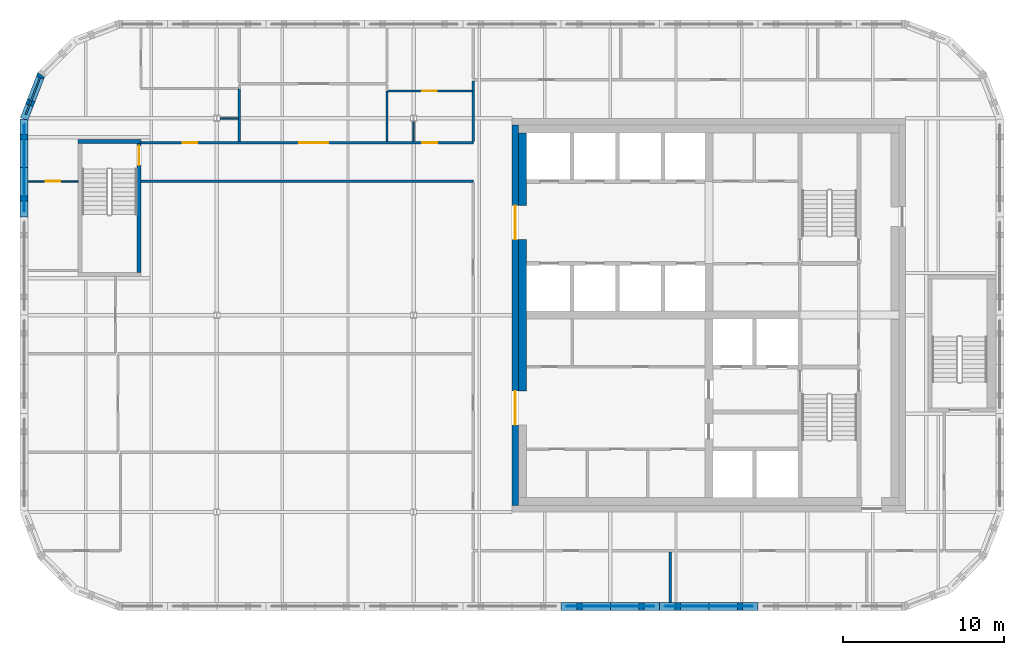
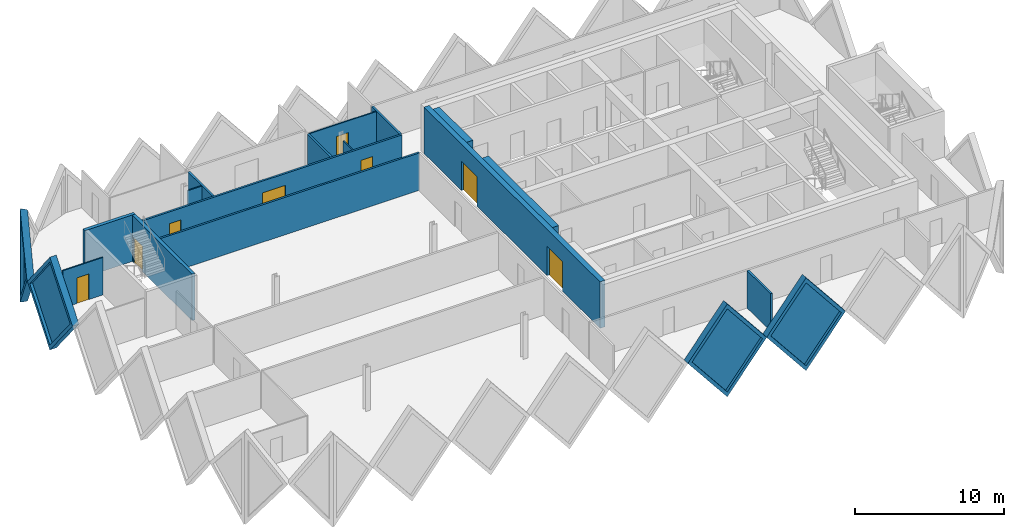
# One storey, part 4 of 10: 19 walls, 8 doors, 4 plates, 12 openings.
"""IFC4 building model written with IfcOpenShell, lengths in metres."""

import ifcopenshell
import ifcopenshell.guid

model = None  # the IFC model being written
_history = None  # IfcOwnerHistory: only IFC2X3 demands one
_inside = {}  # id of a spatial element -> (the spatial element, [elements in it])
_under = {}  # id of a project, library or spatial element -> (it, [spatial elements below it])
_declared = {}  # id of a project -> (the project, [libraries it declares])
_typed = {}  # id of a type object -> (the type object, [elements of that type])
_made_of = {}  # id of a material, layer set ... -> (it, [elements and type objects made of it])


def new_model(schema):
    """Start an empty IFC model of exactly this schema.

    Asked for "IFC4X3", IfcOpenShell would pick the latest addendum, in which some entities
    have other attributes; the version numbers below select the first issue.
    IFC2X3 requires an IfcOwnerHistory on every rooted entity: one is made here for all.
    """
    global model, _history
    if schema == "IFC4X3":
        model = ifcopenshell.file(schema_version=(4, 3, 0, 0))
    else:
        model = ifcopenshell.file(schema=schema)
    _inside.clear()
    _under.clear()
    _declared.clear()
    _typed.clear()
    _made_of.clear()
    _history = None
    if model.schema == "IFC2X3":
        org = make("IfcOrganization", Name="unknown")
        user = make(
            "IfcPersonAndOrganization",
            ThePerson=make("IfcPerson", FamilyName="unknown"),
            TheOrganization=org,
        )
        app = make(
            "IfcApplication",
            ApplicationDeveloper=org,
            Version="unknown",
            ApplicationFullName="unknown",
            ApplicationIdentifier="unknown",
        )
        _history = make(
            "IfcOwnerHistory",
            OwningUser=user,
            OwningApplication=app,
            ChangeAction="ADDED",
            CreationDate=0,
        )
    return model


def make(cls, **values):
    """One entity of the class cls with the attributes given. An attribute that is None is left unset."""
    return model.create_entity(
        cls, **{name: value for name, value in values.items() if value is not None}
    )


def rooted(cls, **values):
    """An entity with a GlobalId (a new one), such as an element, a storey or a relation."""
    return make(cls, GlobalId=ifcopenshell.guid.new(), OwnerHistory=_history, **values)


def si_unit(unit_type, name, prefix=None):
    """IfcSIUnit, for example si_unit("LENGTHUNIT", "METRE", prefix="MILLI")."""
    return make("IfcSIUnit", UnitType=unit_type, Prefix=prefix, Name=name)


def assignment(units):
    """IfcUnitAssignment: the units of a project."""
    return None if units is None else make("IfcUnitAssignment", Units=units)


def point(xyz):
    """IfcCartesianPoint."""
    return None if xyz is None else make("IfcCartesianPoint", Coordinates=xyz)


def direction(xyz):
    """IfcDirection."""
    return None if xyz is None else make("IfcDirection", DirectionRatios=xyz)


def frame(location, z_axis=None, x_axis=None):
    """IfcAxis2Placement3D, a coordinate frame: its origin and axes. An axis left out is left unset."""
    return make(
        "IfcAxis2Placement3D",
        Location=point(location),
        Axis=direction(z_axis),
        RefDirection=direction(x_axis),
    )


def frame_2d(location, x_axis=None):
    """IfcAxis2Placement2D, a coordinate frame in the plane: its origin and x axis."""
    return make(
        "IfcAxis2Placement2D", Location=point(location), RefDirection=direction(x_axis)
    )


def origin():
    """The frame at (0, 0, 0) with its axes left unset."""
    return frame((0.0, 0.0, 0.0))


def place(relative_to, where):
    """IfcLocalPlacement: puts the frame where relative to a parent placement (None: the world)."""
    return make(
        "IfcLocalPlacement", PlacementRelTo=relative_to, RelativePlacement=where
    )


def context(
    kind, dimensions, precision=None, world=None, true_north=None, identifier=None
):
    """IfcGeometricRepresentationContext, for example the 3D "Model" context."""
    return make(
        "IfcGeometricRepresentationContext",
        ContextIdentifier=identifier,
        ContextType=kind,
        CoordinateSpaceDimension=dimensions,
        Precision=precision,
        WorldCoordinateSystem=world,
        TrueNorth=true_north,
    )


def subcontext(parent, identifier, kind, view, scale=None):
    """IfcGeometricRepresentationSubContext, for example "Body" below "Model"."""
    return make(
        "IfcGeometricRepresentationSubContext",
        ContextIdentifier=identifier,
        ContextType=kind,
        ParentContext=parent,
        TargetScale=scale,
        TargetView=view,
    )


def project(units=None, contexts=None):
    """IfcProject with its units and contexts."""
    return rooted(
        "IfcProject",
        Name="project",
        RepresentationContexts=contexts,
        UnitsInContext=assignment(units),
    )


def spatial(cls, under=None, at=None, **own):
    """A site, building, storey or space (cls), placed at a placement, below another one or the project."""
    s = rooted(cls, ObjectPlacement=at, **own)
    if under is not None:
        _under.setdefault(under.id(), (under, []))[1].append(s)
    return s


def polyline(points):
    """IfcPolyline through the points."""
    return make("IfcPolyline", Points=[point(p) for p in points])


def profile(cls, at=None, kind="AREA", **sizes):
    """A parametric profile (cls). Its sizes go by their IFC names, for example OverallWidth=200.0."""
    return make(cls, ProfileType=kind, Position=at, **sizes)


def rectangle(**sizes):
    """IfcRectangleProfileDef."""
    return profile("IfcRectangleProfileDef", **sizes)


def outline(outer, holes=None, kind="AREA"):
    """IfcArbitraryClosedProfileDef: a profile drawn as a closed curve; with holes, ...WithVoids."""
    if holes is None:
        return make("IfcArbitraryClosedProfileDef", ProfileType=kind, OuterCurve=outer)
    return make(
        "IfcArbitraryProfileDefWithVoids",
        ProfileType=kind,
        OuterCurve=outer,
        InnerCurves=holes,
    )


def extrude(swept, where, along, depth):
    """IfcExtrudedAreaSolid: the profile swept, set in the frame where, extruded along a direction by depth."""
    return make(
        "IfcExtrudedAreaSolid",
        SweptArea=swept,
        Position=where,
        ExtrudedDirection=direction(along),
        Depth=depth,
    )


def faces_of(points, faces, orient=None, outer=None):
    """IfcFace entities. A face is a list of loops; a loop is a list of indices into points, from 0.

    orient and outer hold one flag for each loop. By default every Orientation is true, the
    first loop of a face is its IfcFaceOuterBound and the others are IfcFaceBound.
    """
    made = []
    for i, loops in enumerate(faces):
        bounds = []
        for j, loop in enumerate(loops):
            is_outer = j == 0 if outer is None else outer[i][j]
            bounds.append(
                make(
                    "IfcFaceOuterBound" if is_outer else "IfcFaceBound",
                    Bound=make("IfcPolyLoop", Polygon=[points[k] for k in loop]),
                    Orientation=True if orient is None else orient[i][j],
                )
            )
        made.append(make("IfcFace", Bounds=bounds))
    return made


def faceted_brep(points, faces, orient=None, outer=None, voids=None):
    """IfcFacetedBrep: a solid bounded by flat faces; with voids (closed shells), ...WithVoids."""
    shared = [point(p) for p in points]
    hull = make("IfcClosedShell", CfsFaces=faces_of(shared, faces, orient, outer))
    if voids is None:
        return make("IfcFacetedBrep", Outer=hull)
    return make(
        "IfcFacetedBrepWithVoids",
        Outer=hull,
        Voids=[
            make(cls, CfsFaces=faces_of(shared, fs, o, b)) for cls, fs, o, b in voids
        ],
    )


def shape(context_of_items, identifier, shape_type, items):
    """IfcShapeRepresentation: the items that make up one representation, for example the "Body"."""
    return make(
        "IfcShapeRepresentation",
        ContextOfItems=context_of_items,
        RepresentationIdentifier=identifier,
        RepresentationType=shape_type,
        Items=items,
    )


def source(mapping_origin, context_of_items, identifier, shape_type, items):
    """IfcRepresentationMap: a shape defined once, which mapped items show again and again."""
    return make(
        "IfcRepresentationMap",
        MappingOrigin=mapping_origin,
        MappedRepresentation=shape(context_of_items, identifier, shape_type, items),
    )


def transform(
    local_origin,
    x_axis=None,
    y_axis=None,
    z_axis=None,
    scale=None,
    scale2=None,
    scale3=None,
    uniform=True,
):
    """IfcCartesianTransformationOperator3D, or its non-uniform kind. x_axis, y_axis, z_axis: its Axis1, 2, 3."""
    if uniform:
        return make(
            "IfcCartesianTransformationOperator3D",
            Axis1=direction(x_axis),
            Axis2=direction(y_axis),
            LocalOrigin=point(local_origin),
            Scale=scale,
            Axis3=direction(z_axis),
        )
    return make(
        "IfcCartesianTransformationOperator3DnonUniform",
        Axis1=direction(x_axis),
        Axis2=direction(y_axis),
        LocalOrigin=point(local_origin),
        Scale=scale,
        Axis3=direction(z_axis),
        Scale2=scale2,
        Scale3=scale3,
    )


def mapped(mapping_source, mapping_target):
    """IfcMappedItem: shows the shape of a source again, moved by a transform."""
    return make(
        "IfcMappedItem", MappingSource=mapping_source, MappingTarget=mapping_target
    )


def material(Name=None, Category=None):
    """IfcMaterial."""
    return make("IfcMaterial", Name=Name, Category=Category)


def layer(
    of_material, thickness, ventilated=None, Name=None, Category=None, Priority=None
):
    """IfcMaterialLayer: one layer of a wall or slab, of a material (None: an air gap)."""
    return make(
        "IfcMaterialLayer",
        Material=of_material,
        LayerThickness=thickness,
        IsVentilated=ventilated,
        Name=Name,
        Category=Category,
        Priority=Priority,
    )


def layer_set(layers, Name=None):
    """IfcMaterialLayerSet."""
    return make("IfcMaterialLayerSet", MaterialLayers=layers, LayerSetName=Name)


def made_of(thing, what):
    """Note that an element or type object is made of a material, layer set ...; save() writes the relation."""
    if what is not None:
        _made_of.setdefault(what.id(), (what, []))[1].append(thing)
    return thing


def type_object(cls, material=None, **own):
    """A type object (cls), such as IfcWallType, which elements share."""
    return made_of(rooted(cls, **own), material)


def element(
    cls,
    number,
    at=None,
    inside=None,
    cuts=None,
    type_object=None,
    material=None,
    context=None,
    identifier="Body",
    shape_type=None,
    held_by="IfcProductDefinitionShape",
    body=None,
    shapes=None,
    **own,
):
    """One element of the class cls, such as IfcWall. Its Tag is "e" and its number.

    at: its placement. inside: the storey or other place that contains it. cuts: it is an
    opening in that element (IfcRelVoidsElement). A single representation is given by context,
    identifier, shape_type and body (its items); several are given by shapes. held_by: the class
    of the entity that holds the representations. save() writes the other relations.
    """
    e = rooted(cls, Tag="e%d" % number, ObjectPlacement=at, **own)
    if body is not None:
        shapes = [shape(context, identifier, shape_type, body)]
    if shapes is not None:
        e.Representation = make(held_by, Representations=shapes)
    if inside is not None:
        _inside.setdefault(inside.id(), (inside, []))[1].append(e)
    if cuts is not None:
        rooted(
            "IfcRelVoidsElement", RelatingBuildingElement=cuts, RelatedOpeningElement=e
        )
    if type_object is not None:
        _typed.setdefault(type_object.id(), (type_object, []))[1].append(e)
    return made_of(e, material)


def fill(opening, filler):
    """IfcRelFillsElement: the door or window that sits in an opening."""
    return rooted(
        "IfcRelFillsElement",
        RelatingOpeningElement=opening,
        RelatedBuildingElement=filler,
    )


def aggregate(whole, parts):
    """IfcRelAggregates: a whole, such as a stair, and the parts it consists of."""
    return rooted("IfcRelAggregates", RelatingObject=whole, RelatedObjects=parts)


def save(model, path):
    """Write the relations noted so far, then the file.

    IfcRelAggregates (storeys below a building ...), IfcRelContainedInSpatialStructure (elements
    in a storey), IfcRelDefinesByType, IfcRelAssociatesMaterial and IfcRelDeclares: one each for
    every whole, place, type object, material and project.
    """
    for whole, parts in _under.values():
        aggregate(whole, parts)
    for where, things in _inside.values():
        rooted(
            "IfcRelContainedInSpatialStructure",
            RelatedElements=things,
            RelatingStructure=where,
        )
    for kind, things in _typed.values():
        rooted("IfcRelDefinesByType", RelatedObjects=things, RelatingType=kind)
    for what, things in _made_of.values():
        rooted("IfcRelAssociatesMaterial", RelatedObjects=things, RelatingMaterial=what)
    for by, libraries in _declared.values():
        rooted("IfcRelDeclares", RelatingContext=by, RelatedDefinitions=libraries)
    model.write(path)


model = new_model("IFC4")

# Units and contexts
model_context = context("Model", 3, precision=1e-05, world=origin(), true_north=direction((0.0, 1.0)))
body_context = subcontext(model_context, "Body", "Model", "MODEL_VIEW")
ifc_project = project(units=[si_unit("LENGTHUNIT", "METRE"), si_unit("AREAUNIT", "SQUARE_METRE"), si_unit("VOLUMEUNIT", "CUBIC_METRE"), si_unit("PLANEANGLEUNIT", "RADIAN"), si_unit("MASSUNIT", "GRAM", prefix="KILO")], contexts=[model_context])

# Site, building, storey
site_placement = place(None, origin())
site = spatial("IfcSite", under=ifc_project, at=site_placement, CompositionType="ELEMENT")
building_placement = place(site_placement, origin())
building = spatial("IfcBuilding", under=site, at=building_placement, Name="Tessera Gate Towers", CompositionType="ELEMENT")
storey_placement = place(building_placement, frame((0.0, 0.0, 244.5)))
storey = spatial("IfcBuildingStorey", under=building, at=storey_placement, Name="L61", CompositionType="ELEMENT", Elevation=244.5)

# Wall
ifc_material_1 = material(Name="Concrete C40/50", Category="concrete")
ifc_layer_1 = layer(ifc_material_1, 0.25)
ifc_layer_set_1 = layer_set([ifc_layer_1], Name="CORE ENCLOSURE WALL 250")
wall_type_1 = type_object("IfcWallType", Name="CORE ENCLOSURE WALL 250", PredefinedType="SOLIDWALL", material=ifc_layer_set_1)
wall_1_placement = place(storey_placement, frame((3.60009765625, 47.375, 0.0), z_axis=(0.0, 0.0, 1.0), x_axis=(1.0, 0.0, 0.0)))
element("IfcWall", 1, at=wall_1_placement, inside=storey, type_object=wall_type_1, Name="L61 ST3 enclosure wall", PredefinedType="SOLIDWALL", context=body_context, shape_type="SweptSolid", body=[
    extrude(rectangle(XDim=3.89990234375, YDim=0.25, at=frame_2d((1.949951171875, 0.0))), origin(), (0.0, 0.0, 1.0), 3.800048828125),
])

# Wall, opening, door
wall_2_placement = place(storey_placement, frame((7.375, 47.25, 0.0), z_axis=(0.0, 0.0, 1.0), x_axis=(0.0, -1.0, 0.0)))
wall_2 = element("IfcWall", 2, at=wall_2_placement, inside=storey, type_object=wall_type_1, Name="L61 ST3 enclosure wall", PredefinedType="SOLIDWALL", context=body_context, shape_type="SweptSolid", body=[
    extrude(rectangle(XDim=8.0, YDim=0.25, at=frame_2d((4.0, 0.0))), origin(), (0.0, 0.0, 1.0), 3.800048828125),
])
shared_shape_1 = source(origin(), body_context, "Body", "SweptSolid", [
    extrude(rectangle(XDim=1.199951171875, YDim=2.10009765625, at=frame_2d((0.60009765625, 1.050048828125))), frame((0.0, 0.135009765625, 0.0), z_axis=(0.0, -1.0, 0.0), x_axis=(1.0, 0.0, 0.0)), (0.0, 0.0, 1.0), 0.27001953125),
])
opening_1_placement = place(wall_2_placement, frame((0.14990234375, 0.0, 0.0)))
opening_1 = element("IfcOpeningElement", 3, at=opening_1_placement, cuts=wall_2, Name="Opening SD-ST3-1", PredefinedType="OPENING", context=body_context, shape_type="MappedRepresentation", body=[
    mapped(shared_shape_1, transform((0.0, 0.0, 0.0), scale=1.0)),
])
ifc_material_2 = material(Name="Hollow steel fire door", Category="steel")
door_type_1 = type_object("IfcDoorType", Name="CORE DOOR SD 1200x2100", OperationType="NOTDEFINED", PredefinedType="DOOR", material=ifc_material_2)
shared_shape_2 = source(origin(), body_context, "Body", "SweptSolid", [
    extrude(rectangle(XDim=1.199951171875, YDim=2.10009765625, at=frame_2d((0.60009765625, 1.050048828125))), frame((0.0, 0.02490234375, 0.0), z_axis=(0.0, -1.0, 0.0), x_axis=(1.0, 0.0, 0.0)), (0.0, 0.0, 1.0), 0.050048828125),
])
door_1_placement = place(opening_1_placement, origin())
door_1 = element("IfcDoor", 4, at=door_1_placement, inside=storey, type_object=door_type_1, Name="Stair door", OperationType="SINGLE_SWING_LEFT", OverallHeight=2.10009765625, OverallWidth=1.199951171875, PredefinedType="DOOR", context=body_context, shape_type="MappedRepresentation", body=[
    mapped(shared_shape_2, transform((0.0, 0.0, 0.0), scale=1.0)),
])
fill(opening_1, door_1)

# Wall, openings, doors
ifc_material_3 = material(Name="Concrete C40/50", Category="concrete")
ifc_layer_2 = layer(ifc_material_3, 0.39990234375)
ifc_layer_set_2 = layer_set([ifc_layer_2], Name="CORE SHEAR WALL 400 C40/50")
wall_type_2 = type_object("IfcWallType", Name="CORE SHEAR WALL 400 C40/50", PredefinedType="SHEAR", material=ifc_layer_set_2)
wall_3_placement = place(storey_placement, frame((30.699951171875, 24.800048828125, 0.0), z_axis=(0.0, 0.0, 1.0), x_axis=(0.0, 1.0, 0.0)))
wall_3 = element("IfcWall", 5, at=wall_3_placement, inside=storey, type_object=wall_type_2, Name="Core wall W L61", PredefinedType="SHEAR", context=body_context, shape_type="SweptSolid", body=[
    extrude(rectangle(XDim=23.599853515625, YDim=0.39990234375, at=frame_2d((11.7998046875, 0.0))), origin(), (0.0, 0.0, 1.0), 3.800048828125),
])
shared_shape_3 = source(origin(), body_context, "Body", "SweptSolid", [
    extrude(rectangle(XDim=2.10009765625, YDim=2.39990234375, at=frame_2d((1.050048828125, 1.199951171875))), frame((0.0, 0.2099609375, 0.0), z_axis=(0.0, -1.0, 0.0), x_axis=(1.0, 0.0, 0.0)), (0.0, 0.0, 1.0), 0.419921875),
])
opening_2_placement = place(wall_3_placement, frame((5.0, 0.0, 0.0)))
opening_2 = element("IfcOpeningElement", 6, at=opening_2_placement, cuts=wall_3, Name="Opening DD-T1-36-02", PredefinedType="OPENING", context=body_context, shape_type="MappedRepresentation", body=[
    mapped(shared_shape_3, transform((0.0, 0.0, 0.0), scale=1.0)),
])
opening_3_placement = place(wall_3_placement, frame((16.5, 0.0, 0.0)))
opening_3 = element("IfcOpeningElement", 7, at=opening_3_placement, cuts=wall_3, Name="Opening DD-T1-36-03", PredefinedType="OPENING", context=body_context, shape_type="MappedRepresentation", body=[
    mapped(shared_shape_3, transform((0.0, 0.0, 0.0), scale=1.0)),
])
ifc_material_4 = material(Name="Hollow steel fire door", Category="steel")
door_type_2 = type_object("IfcDoorType", Name="CORE DOOR DD 2100x2400", OperationType="NOTDEFINED", PredefinedType="DOOR", material=ifc_material_4)
shared_shape_4 = source(origin(), body_context, "Body", "SweptSolid", [
    extrude(rectangle(XDim=2.10009765625, YDim=2.39990234375, at=frame_2d((1.050048828125, 1.199951171875))), frame((0.0, 0.02490234375, 0.0), z_axis=(0.0, -1.0, 0.0), x_axis=(1.0, 0.0, 0.0)), (0.0, 0.0, 1.0), 0.050048828125),
])
door_2_placement = place(opening_2_placement, origin())
door_2 = element("IfcDoor", 8, at=door_2_placement, inside=storey, type_object=door_type_2, Name="Core entrance door", OperationType="DOUBLE_DOOR_SINGLE_SWING", OverallHeight=2.39990234375, OverallWidth=2.10009765625, PredefinedType="DOOR", context=body_context, shape_type="MappedRepresentation", body=[
    mapped(shared_shape_4, transform((0.0, 0.0, 0.0), scale=1.0)),
])
fill(opening_2, door_2)
door_3_placement = place(opening_3_placement, origin())
door_3 = element("IfcDoor", 9, at=door_3_placement, inside=storey, type_object=door_type_2, Name="Core entrance door", OperationType="DOUBLE_DOOR_SINGLE_SWING", OverallHeight=2.39990234375, OverallWidth=2.10009765625, PredefinedType="DOOR", context=body_context, shape_type="MappedRepresentation", body=[
    mapped(shared_shape_4, transform((0.0, 0.0, 0.0), scale=1.0)),
])
fill(opening_3, door_3)

# Walls
ifc_material_5 = material(Name="Concrete C40/50", Category="concrete")
ifc_layer_3 = layer(ifc_material_5, 0.5)
ifc_layer_set_3 = layer_set([ifc_layer_3], Name="CORE WALL THICKENING 500")
wall_type_3 = type_object("IfcWallType", Name="CORE WALL THICKENING 500", PredefinedType="SOLIDWALL", material=ifc_layer_set_3)
wall_4_placement = place(storey_placement, frame((31.14990234375, 31.89990234375, 0.0), z_axis=(0.0, 0.0, 1.0), x_axis=(0.0, 1.0, 0.0)))
element("IfcWall", 10, at=wall_4_placement, inside=storey, type_object=wall_type_3, Name="Core wall thickening W L61", PredefinedType="SOLIDWALL", context=body_context, shape_type="SweptSolid", body=[
    extrude(rectangle(XDim=9.400146484375, YDim=0.5, at=frame_2d((4.7001953125, 0.0))), origin(), (0.0, 0.0, 1.0), 3.800048828125),
])
wall_5_placement = place(storey_placement, frame((31.14990234375, 43.39990234375, 0.0), z_axis=(0.0, 0.0, 1.0), x_axis=(0.0, 1.0, 0.0)))
element("IfcWall", 11, at=wall_5_placement, inside=storey, type_object=wall_type_3, Name="Core wall thickening W L61", PredefinedType="SOLIDWALL", context=body_context, shape_type="SweptSolid", body=[
    extrude(rectangle(XDim=4.5, YDim=0.5, at=frame_2d((2.25, 0.0))), origin(), (0.0, 0.0, 1.0), 3.800048828125),
])
ifc_material_6 = material(Name="Gypsum board on steel studs, mineral wool", Category="steel")
ifc_layer_4 = layer(ifc_material_6, 0.14990234375)
ifc_layer_set_4 = layer_set([ifc_layer_4], Name="CORRIDOR WALL 150")
wall_type_4 = type_object("IfcWallType", Name="CORRIDOR WALL 150", PredefinedType="PARTITIONING", material=ifc_layer_set_4)
wall_6_placement = place(storey_placement, frame((7.5, 44.89990234375, 0.0), z_axis=(0.0, 0.0, 1.0), x_axis=(1.0, 0.0, 0.0)))
element("IfcWall", 12, at=wall_6_placement, inside=storey, type_object=wall_type_4, Name="T1-L61-PW-018", PredefinedType="PARTITIONING", context=body_context, shape_type="SweptSolid", body=[
    extrude(rectangle(XDim=20.60009765625, YDim=0.14990234375, at=frame_2d((10.300048828125, 0.0))), origin(), (0.0, 0.0, 1.0), 3.06689453125),
])

# Wall, openings, doors
wall_7_placement = place(storey_placement, frame((7.5, 47.300048828125, 0.0), z_axis=(0.0, 0.0, 1.0), x_axis=(1.0, 0.0, 0.0)))
wall_7 = element("IfcWall", 13, at=wall_7_placement, inside=storey, type_object=wall_type_4, Name="T1-L61-PW-019", PredefinedType="PARTITIONING", context=body_context, shape_type="SweptSolid", body=[
    extrude(rectangle(XDim=20.60009765625, YDim=0.14990234375, at=frame_2d((10.300048828125, 0.0))), origin(), (0.0, 0.0, 1.0), 3.06689453125),
])
shared_shape_5 = source(origin(), body_context, "Body", "SweptSolid", [
    extrude(rectangle(XDim=0.89990234375, YDim=2.10009765625, at=frame_2d((0.449951171875, 1.050048828125))), frame((0.0, 0.0849609375, 0.0), z_axis=(0.0, -1.0, 0.0), x_axis=(1.0, 0.0, 0.0)), (0.0, 0.0, 1.0), 0.169921875),
])
opening_4_placement = place(wall_7_placement, frame((17.450927734375, 0.0, 0.0)))
opening_4 = element("IfcOpeningElement", 14, at=opening_4_placement, cuts=wall_7, Name="Opening D890FD60-A21-02", PredefinedType="OPENING", context=body_context, shape_type="MappedRepresentation", body=[
    mapped(shared_shape_5, transform((0.0, 0.0, 0.0), scale=1.0)),
])
opening_5_placement = place(wall_7_placement, frame((2.60009765625, 0.0, 0.0)))
opening_5 = element("IfcOpeningElement", 15, at=opening_5_placement, cuts=wall_7, Name="Opening D890FD60-A21-05", PredefinedType="OPENING", context=body_context, shape_type="MappedRepresentation", body=[
    mapped(shared_shape_5, transform((0.0, 0.0, 0.0), scale=1.0)),
])
shared_shape_6 = source(origin(), body_context, "Body", "SweptSolid", [
    extrude(rectangle(XDim=1.800048828125, YDim=2.10009765625, at=frame_2d((0.89990234375, 1.050048828125))), frame((0.0, 0.0849609375, 0.0), z_axis=(0.0, -1.0, 0.0), x_axis=(1.0, 0.0, 0.0)), (0.0, 0.0, 1.0), 0.169921875),
])
opening_6_placement = place(wall_7_placement, frame((9.800048828125, 0.0, 0.0)))
opening_6 = element("IfcOpeningElement", 16, at=opening_6_placement, cuts=wall_7, Name="Opening D2180FD60-A21-01", PredefinedType="OPENING", context=body_context, shape_type="MappedRepresentation", body=[
    mapped(shared_shape_6, transform((0.0, 0.0, 0.0), scale=1.0)),
])
ifc_material_7 = material(Name="Timber door leaf in steel frame", Category="steel")
door_type_3 = type_object("IfcDoorType", Name="CORRIDOR DOOR 900 FD60", OperationType="NOTDEFINED", PredefinedType="DOOR", material=ifc_material_7)
shared_shape_7 = source(origin(), body_context, "Body", "SweptSolid", [
    extrude(rectangle(XDim=0.89990234375, YDim=2.10009765625, at=frame_2d((0.449951171875, 1.050048828125))), frame((0.0, 0.02490234375, 0.0), z_axis=(0.0, -1.0, 0.0), x_axis=(1.0, 0.0, 0.0)), (0.0, 0.0, 1.0), 0.050048828125),
])
door_4_placement = place(opening_4_placement, origin())
door_4 = element("IfcDoor", 17, at=door_4_placement, inside=storey, type_object=door_type_3, Name="T1-L61-PD-005", OperationType="SINGLE_SWING_LEFT", OverallHeight=2.10009765625, OverallWidth=0.89990234375, PredefinedType="DOOR", context=body_context, shape_type="MappedRepresentation", body=[
    mapped(shared_shape_7, transform((0.0, 0.0, 0.0), scale=1.0)),
])
fill(opening_4, door_4)
door_5_placement = place(opening_5_placement, origin())
door_5 = element("IfcDoor", 18, at=door_5_placement, inside=storey, type_object=door_type_3, Name="T1-L61-PD-009", OperationType="SINGLE_SWING_LEFT", OverallHeight=2.10009765625, OverallWidth=0.89990234375, PredefinedType="DOOR", context=body_context, shape_type="MappedRepresentation", body=[
    mapped(shared_shape_7, transform((0.0, 0.0, 0.0), scale=1.0)),
])
fill(opening_5, door_5)
ifc_material_8 = material(Name="Timber door leaf in steel frame", Category="steel")
door_type_4 = type_object("IfcDoorType", Name="TENANCY ENTRANCE DOUBLE DOOR 1800 FD60", OperationType="NOTDEFINED", PredefinedType="DOOR", material=ifc_material_8)
shared_shape_8 = source(origin(), body_context, "Body", "SweptSolid", [
    extrude(rectangle(XDim=1.800048828125, YDim=2.10009765625, at=frame_2d((0.89990234375, 1.050048828125))), frame((0.0, 0.02490234375, 0.0), z_axis=(0.0, -1.0, 0.0), x_axis=(1.0, 0.0, 0.0)), (0.0, 0.0, 1.0), 0.050048828125),
])
door_6_placement = place(opening_6_placement, origin())
door_6 = element("IfcDoor", 19, at=door_6_placement, inside=storey, type_object=door_type_4, Name="T1-L61-PD-012", OperationType="DOUBLE_DOOR_SINGLE_SWING", OverallHeight=2.10009765625, OverallWidth=1.800048828125, PredefinedType="DOOR", context=body_context, shape_type="MappedRepresentation", body=[
    mapped(shared_shape_8, transform((0.0, 0.0, 0.0), scale=1.0)),
])
fill(opening_6, door_6)

# Wall
wall_8_placement = place(storey_placement, frame((28.10009765625, 47.3759765625, 0.0), z_axis=(0.0, 0.0, 1.0), x_axis=(0.0, 1.0, 0.0)))
element("IfcWall", 20, at=wall_8_placement, inside=storey, type_object=wall_type_4, Name="T1-L61-PW-022", PredefinedType="PARTITIONING", context=body_context, shape_type="SweptSolid", body=[
    extrude(rectangle(XDim=3.748046875, YDim=0.14990234375, at=frame_2d((1.8740234375, 0.0))), origin(), (0.0, 0.0, 1.0), 3.06689453125),
])

# Wall, opening, door
ifc_material_9 = material(Name="Glass", Category="glass")
ifc_layer_5 = layer(ifc_material_9, 0.10009765625)
ifc_layer_set_5 = layer_set([ifc_layer_5], Name="GLAZED PARTITION 100")
wall_type_5 = type_object("IfcWallType", Name="GLAZED PARTITION 100", PredefinedType="PARTITIONING", material=ifc_layer_set_5)
wall_9_placement = place(storey_placement, frame((3.60009765625, 44.89990234375, 0.0), z_axis=(0.0, 0.0, 1.0), x_axis=(-1.0, 0.0, 0.0)))
wall_9 = element("IfcWall", 21, at=wall_9_placement, inside=storey, type_object=wall_type_5, Name="T1-L61-PW-017", PredefinedType="PARTITIONING", context=body_context, shape_type="SweptSolid", body=[
    extrude(rectangle(XDim=3.10009765625, YDim=0.10009765625, at=frame_2d((1.550048828125, 0.0))), origin(), (0.0, 0.0, 1.0), 3.06689453125),
])
shared_shape_9 = source(origin(), body_context, "Body", "SweptSolid", [
    extrude(rectangle(XDim=0.89990234375, YDim=2.10009765625, at=frame_2d((0.449951171875, 1.050048828125))), frame((0.0, 0.06005859375, 0.0), z_axis=(0.0, -1.0, 0.0), x_axis=(1.0, 0.0, 0.0)), (0.0, 0.0, 1.0), 0.1201171875),
])
opening_7_placement = place(wall_9_placement, frame((1.10009765625, 0.0, 0.0)))
opening_7 = element("IfcOpeningElement", 22, at=opening_7_placement, cuts=wall_9, Name="Opening D690-A21-01", PredefinedType="OPENING", context=body_context, shape_type="MappedRepresentation", body=[
    mapped(shared_shape_9, transform((0.0, 0.0, 0.0), scale=1.0)),
])
ifc_material_10 = material(Name="Glass in aluminium frame", Category="aluminium")
door_type_5 = type_object("IfcDoorType", Name="GLAZED DOOR 900 NOT RATED", OperationType="NOTDEFINED", PredefinedType="DOOR", material=ifc_material_10)
door_7_placement = place(opening_7_placement, origin())
door_7 = element("IfcDoor", 23, at=door_7_placement, inside=storey, type_object=door_type_5, Name="T1-L61-PD-001", OperationType="SINGLE_SWING_RIGHT", OverallHeight=2.10009765625, OverallWidth=0.89990234375, PredefinedType="DOOR", context=body_context, shape_type="MappedRepresentation", body=[
    mapped(shared_shape_7, transform((0.0, 0.0, 0.0), scale=1.0)),
])
fill(opening_7, door_7)

wall_10_placement = place(storey_placement, frame((22.825927734375, 50.5, 0.0), z_axis=(0.0, 0.0, 1.0), x_axis=(1.0, 0.0, 0.0)))
wall_10 = element("IfcWall", 24, at=wall_10_placement, inside=storey, type_object=wall_type_5, Name="T1-L61-PW-026", PredefinedType="PARTITIONING", context=body_context, shape_type="SweptSolid", body=[
    extrude(rectangle(XDim=5.197998046875, YDim=0.10009765625, at=frame_2d((2.59912109375, 0.0))), origin(), (0.0, 0.0, 1.0), 3.06689453125),
])
opening_8_placement = place(wall_10_placement, frame((2.10009765625, 0.0, 0.0)))
opening_8 = element("IfcOpeningElement", 25, at=opening_8_placement, cuts=wall_10, Name="Opening D690-A21-03", PredefinedType="OPENING", context=body_context, shape_type="MappedRepresentation", body=[
    mapped(shared_shape_9, transform((0.0, 0.0, 0.0), scale=1.0)),
])
door_8_placement = place(opening_8_placement, origin())
door_8 = element("IfcDoor", 26, at=door_8_placement, inside=storey, type_object=door_type_5, Name="T1-L61-PD-004", OperationType="SINGLE_SWING_LEFT", OverallHeight=2.10009765625, OverallWidth=0.89990234375, PredefinedType="DOOR", context=body_context, shape_type="MappedRepresentation", body=[
    mapped(shared_shape_7, transform((0.0, 0.0, 0.0), scale=1.0)),
])
fill(opening_8, door_8)

# Walls
ifc_material_11 = material(Name="Gypsum board on steel studs", Category="steel")
ifc_layer_6 = layer(ifc_material_11, 0.10009765625)
ifc_layer_set_6 = layer_set([ifc_layer_6], Name="PARTITION 100")
wall_type_6 = type_object("IfcWallType", Name="PARTITION 100", PredefinedType="PARTITIONING", material=ifc_layer_set_6)
wall_11_placement = place(storey_placement, frame((24.39990234375, 48.60009765625, 0.0), z_axis=(0.0, 0.0, 1.0), x_axis=(0.0, -1.0, 0.0)))
element("IfcWall", 27, at=wall_11_placement, inside=storey, type_object=wall_type_6, Name="T1-L61-PW-023", PredefinedType="PARTITIONING", context=body_context, shape_type="SweptSolid", body=[
    extrude(rectangle(XDim=1.22509765625, YDim=0.10009765625, at=frame_2d((0.612548828125, 0.0))), origin(), (0.0, 0.0, 1.0), 3.06689453125),
])
wall_12_placement = place(storey_placement, frame((12.39990234375, 48.800048828125, 0.0), z_axis=(0.0, 0.0, 1.0), x_axis=(1.0, 0.0, 0.0)))
element("IfcWall", 28, at=wall_12_placement, inside=storey, type_object=wall_type_6, Name="T1-L61-PW-024", PredefinedType="PARTITIONING", context=body_context, shape_type="SweptSolid", body=[
    extrude(rectangle(XDim=1.125, YDim=0.10009765625, at=frame_2d((0.5625, 0.0))), origin(), (0.0, 0.0, 1.0), 3.06689453125),
])
ifc_material_12 = material(Name="Gypsum board on steel studs, mineral wool", Category="steel")
ifc_layer_7 = layer(ifc_material_12, 0.14990234375)
ifc_layer_set_7 = layer_set([ifc_layer_7], Name="TENANCY WALL 150")
wall_type_7 = type_object("IfcWallType", Name="TENANCY WALL 150", PredefinedType="PARTITIONING", material=ifc_layer_set_7)
wall_13_placement = place(storey_placement, frame((40.300048828125, 18.800048828125, 0.0), z_axis=(0.0, 0.0, 1.0), x_axis=(0.0, 1.0, 0.0)))
element("IfcWall", 29, at=wall_13_placement, inside=storey, type_object=wall_type_7, Name="T1-L61-PW-002", PredefinedType="PARTITIONING", context=body_context, shape_type="SweptSolid", body=[
    extrude(rectangle(XDim=3.1240234375, YDim=0.14990234375, at=frame_2d((1.56201171875, 0.0))), origin(), (0.0, 0.0, 1.0), 3.06689453125),
])
wall_14_placement = place(storey_placement, frame((13.60009765625, 47.3759765625, 0.0), z_axis=(0.0, 0.0, 1.0), x_axis=(0.0, 1.0, 0.0)))
element("IfcWall", 30, at=wall_14_placement, inside=storey, type_object=wall_type_7, Name="T1-L61-PW-020", PredefinedType="PARTITIONING", context=body_context, shape_type="SweptSolid", body=[
    extrude(rectangle(XDim=3.27392578125, YDim=0.14990234375, at=frame_2d((1.636962890625, 0.0))), origin(), (0.0, 0.0, 1.0), 3.06689453125),
])
wall_15_placement = place(storey_placement, frame((22.75, 47.3759765625, 0.0), z_axis=(0.0, 0.0, 1.0), x_axis=(0.0, 1.0, 0.0)))
element("IfcWall", 31, at=wall_15_placement, inside=storey, type_object=wall_type_7, Name="T1-L61-PW-021", PredefinedType="PARTITIONING", context=body_context, shape_type="SweptSolid", body=[
    extrude(rectangle(XDim=3.1240234375, YDim=0.14990234375, at=frame_2d((1.56201171875, 0.0))), origin(), (0.0, 0.0, 1.0), 3.06689453125),
])

# Wall, opening, plate
ifc_material_13 = material(Name="Precast concrete C60/75 white", Category="concrete")
ifc_layer_8 = layer(ifc_material_13, 0.5)
ifc_layer_set_8 = layer_set([ifc_layer_8], Name="TS1 tessera")
wall_type_8 = type_object("IfcWallType", Name="TS1 tessera", PredefinedType="SOLIDWALL", material=ifc_layer_set_8)
shared_shape_10 = source(origin(), body_context, "Body", "Brep", [
    faceted_brep([(3.00341796875, -0.25, 0.0), (6.053466796875, -0.25, 3.800048828125), (3.00341796875, -0.25, 7.60009765625), (0.0, -0.25, 3.800048828125), (0.046630859375, 0.25, 3.85888671875), (3.00341796875, 0.25, 7.60009765625), (6.053466796875, 0.25, 3.800048828125), (3.00341796875, 0.25, 0.0), (0.046630859375, 0.25, 3.7412109375), (0.0, 0.0, 3.800048828125)], [[[0, 1, 2, 3]], [[4, 5, 6, 7, 8]], [[7, 6, 1, 0]], [[6, 5, 2, 1]], [[5, 4, 9, 3, 2]], [[8, 7, 0, 3, 9]], [[8, 9, 4]]]),
])
wall_16_placement = place(storey_placement, frame((0.25, 48.75341796875, -3.800048828125), z_axis=(0.0, 0.0, 1.0), x_axis=(0.0, -1.0, 0.0)))
wall_16 = element("IfcWall", 32, at=wall_16_placement, inside=storey, type_object=wall_type_8, Name="Precast tessera T1 TS1-1075", PredefinedType="SOLIDWALL", context=body_context, shape_type="MappedRepresentation", body=[
    mapped(shared_shape_10, transform((0.0, 0.0, 0.0), scale=1.0)),
])
shared_shape_11 = source(origin(), body_context, "Body", "SweptSolid", [
    extrude(outline(polyline([(3.0048828125, 0.4013671875), (5.73291015625, 3.800048828125), (3.0048828125, 7.19873046875), (0.318603515625, 3.800048828125), (3.0048828125, 0.4013671875)])), frame((0.0, 0.260009765625, 0.0), z_axis=(0.0, -1.0, 0.0), x_axis=(1.0, 0.0, 0.0)), (0.0, 0.0, 1.0), 0.52001953125),
])
opening_9_placement = place(wall_16_placement, origin())
opening_9 = element("IfcOpeningElement", 33, at=opening_9_placement, cuts=wall_16, Name="Opening T1-PL2-2189", PredefinedType="OPENING", context=body_context, shape_type="MappedRepresentation", body=[
    mapped(shared_shape_11, transform((0.0, 0.0, 0.0), scale=1.0)),
])
ifc_material_14 = material(Name="Low-e laminated glass", Category="glass")
ifc_layer_9 = layer(ifc_material_14, 0.06005859375)
ifc_layer_set_9 = layer_set([ifc_layer_9], Name="PL2 rhombic pane")
plate_type = type_object("IfcPlateType", Name="PL2 rhombic pane", PredefinedType="SHEET", material=ifc_layer_set_9)
shared_shape_12 = source(origin(), body_context, "Body", "SweptSolid", [
    extrude(outline(polyline([(3.0048828125, 0.4013671875), (5.73291015625, 3.800048828125), (3.0048828125, 7.19873046875), (0.318603515625, 3.800048828125), (3.0048828125, 0.4013671875)])), frame((0.0, 0.030029296875, 0.0), z_axis=(0.0, -1.0, 0.0), x_axis=(1.0, 0.0, 0.0)), (0.0, 0.0, 1.0), 0.06005859375),
])
plate_1_placement = place(opening_9_placement, origin())
plate_1 = element("IfcPlate", 34, at=plate_1_placement, inside=storey, type_object=plate_type, Name="Glass pane T1 PL2-2189", PredefinedType="SHEET", context=body_context, shape_type="MappedRepresentation", body=[
    mapped(shared_shape_12, transform((0.0, 0.0, 0.0), scale=1.0)),
])
fill(opening_9, plate_1)

shared_shape_13 = source(origin(), body_context, "Body", "Brep", [
    faceted_brep([(3.050048828125, -0.25, 0.0), (6.099853515625, -0.25, 3.7998046875), (6.099853515625, -0.25, 3.80029296875), (3.050048828125, -0.25, 7.60009765625), (0.0, -0.25, 3.800048828125), (0.0, 0.25, 3.800048828125), (3.050048828125, 0.25, 7.60009765625), (6.099853515625, 0.25, 3.80029296875), (6.099853515625, 0.25, 3.7998046875), (3.050048828125, 0.25, 0.0)], [[[0, 1, 2, 3, 4]], [[5, 6, 7, 8, 9]], [[9, 8, 1, 0]], [[7, 6, 3, 2]], [[6, 5, 4, 3]], [[5, 9, 0, 4]], [[1, 8, 7, 2]]]),
])
wall_17_placement = place(storey_placement, frame((33.550048828125, 18.550048828125, -3.800048828125), z_axis=(0.0, 0.0, 1.0), x_axis=(1.0, 0.0, 0.0)))
wall_17 = element("IfcWall", 35, at=wall_17_placement, inside=storey, type_object=wall_type_8, Name="Precast tessera T1 TS1-1061", PredefinedType="SOLIDWALL", context=body_context, shape_type="MappedRepresentation", body=[
    mapped(shared_shape_13, transform((0.0, 0.0, 0.0), scale=1.0)),
])
shared_shape_14 = source(origin(), body_context, "Body", "SweptSolid", [
    extrude(outline(polyline([(3.050048828125, 0.3994140625), (5.779541015625, 3.800048828125), (3.050048828125, 7.20068359375), (0.320556640625, 3.800048828125), (3.050048828125, 0.3994140625)])), frame((0.0, 0.260009765625, 0.0), z_axis=(0.0, -1.0, 0.0), x_axis=(1.0, 0.0, 0.0)), (0.0, 0.0, 1.0), 0.52001953125),
])
opening_10_placement = place(wall_17_placement, origin())
opening_10 = element("IfcOpeningElement", 36, at=opening_10_placement, cuts=wall_17, Name="Opening T1-PL2-2163", PredefinedType="OPENING", context=body_context, shape_type="MappedRepresentation", body=[
    mapped(shared_shape_14, transform((0.0, 0.0, 0.0), scale=1.0)),
])
shared_shape_15 = source(origin(), body_context, "Body", "SweptSolid", [
    extrude(outline(polyline([(3.050048828125, 0.3994140625), (5.779541015625, 3.800048828125), (3.050048828125, 7.20068359375), (0.320556640625, 3.800048828125), (3.050048828125, 0.3994140625)])), frame((0.0, 0.030029296875, 0.0), z_axis=(0.0, -1.0, 0.0), x_axis=(1.0, 0.0, 0.0)), (0.0, 0.0, 1.0), 0.06005859375),
])
plate_2_placement = place(opening_10_placement, origin())
plate_2 = element("IfcPlate", 37, at=plate_2_placement, inside=storey, type_object=plate_type, Name="Glass pane T1 PL2-2163", PredefinedType="SHEET", context=body_context, shape_type="MappedRepresentation", body=[
    mapped(shared_shape_15, transform((0.0, 0.0, 0.0), scale=1.0)),
])
fill(opening_10, plate_2)

shared_shape_16 = source(origin(), body_context, "Body", "SweptSolid", [
    extrude(outline(polyline([(3.050048828125, 0.0), (6.10009765625, 3.800048828125), (3.050048828125, 7.60009765625), (0.0, 3.800048828125), (3.050048828125, 0.0)])), frame((0.0, 0.25, 0.0), z_axis=(0.0, -1.0, 0.0), x_axis=(1.0, 0.0, 0.0)), (0.0, 0.0, 1.0), 0.5),
])
wall_18_placement = place(storey_placement, frame((39.64990234375, 18.550048828125, -3.800048828125), z_axis=(0.0, 0.0, 1.0), x_axis=(1.0, 0.0, 0.0)))
wall_18 = element("IfcWall", 38, at=wall_18_placement, inside=storey, type_object=wall_type_8, Name="Precast tessera T1 TS1-1062", PredefinedType="SOLIDWALL", context=body_context, shape_type="MappedRepresentation", body=[
    mapped(shared_shape_16, transform((0.0, 0.0, 0.0), scale=1.0)),
])
opening_11_placement = place(wall_18_placement, origin())
opening_11 = element("IfcOpeningElement", 39, at=opening_11_placement, cuts=wall_18, Name="Opening T1-PL2-2164", PredefinedType="OPENING", context=body_context, shape_type="MappedRepresentation", body=[
    mapped(shared_shape_14, transform((0.0, 0.0, 0.0), scale=1.0)),
])
plate_3_placement = place(opening_11_placement, origin())
plate_3 = element("IfcPlate", 40, at=plate_3_placement, inside=storey, type_object=plate_type, Name="Glass pane T1 PL2-2164", PredefinedType="SHEET", context=body_context, shape_type="MappedRepresentation", body=[
    mapped(shared_shape_15, transform((0.0, 0.0, 0.0), scale=1.0)),
])
fill(opening_11, plate_3)

ifc_material_15 = material(Name="Precast concrete C60/75 white", Category="concrete")
ifc_layer_10 = layer(ifc_material_15, 0.5)
ifc_layer_set_10 = layer_set([ifc_layer_10], Name="TS3 corner tessera")
wall_type_9 = type_object("IfcWallType", Name="TS3 corner tessera", PredefinedType="SOLIDWALL", material=ifc_layer_set_10)
shared_shape_17 = source(origin(), body_context, "Body", "Brep", [
    faceted_brep([(0.052978515625, -0.25, 0.0), (3.00341796875, -0.25, 3.800048828125), (0.052978515625, -0.25, 7.60009765625), (0.0, -0.25, 7.53173828125), (0.0, -0.25, 0.068359375), (0.10595703125, 0.25, 7.531982421875), (2.95703125, 0.25, 3.85986328125), (2.95703125, 0.25, 3.740234375), (0.10595703125, 0.25, 0.068115234375), (3.00341796875, 0.00048828125, 3.800048828125), (0.052978515625, 0.0, 0.0), (0.052978515625, 0.0, 7.60009765625)], [[[0, 1, 2, 3, 4]], [[5, 6, 7, 8]], [[8, 7, 9, 1, 0, 10]], [[6, 5, 11, 2, 1, 9]], [[3, 2, 11]], [[10, 0, 4]], [[8, 10, 4, 3, 11, 5]], [[9, 7, 6]]]),
])
wall_19_placement = place(storey_placement, frame((1.3310546875, 51.5556640625, -3.800048828125), z_axis=(0.0, 0.0, 1.0), x_axis=(-0.35992665181, -0.932980602862, 0.0)))
wall_19 = element("IfcWall", 41, at=wall_19_placement, inside=storey, type_object=wall_type_9, Name="Precast corner tessera T1 TS3-1414", PredefinedType="SOLIDWALL", context=body_context, shape_type="MappedRepresentation", body=[
    mapped(shared_shape_17, transform((0.0, 0.0, 0.0), scale=1.0)),
])
shared_shape_18 = source(origin(), body_context, "Body", "SweptSolid", [
    extrude(outline(polyline([(0.2529296875, 0.665283203125), (2.68701171875, 3.800048828125), (0.2529296875, 6.934814453125), (0.2529296875, 0.665283203125)])), frame((0.0, 0.260009765625, 0.0), z_axis=(0.0, -1.0, 0.0), x_axis=(1.0, 0.0, 0.0)), (0.0, 0.0, 1.0), 0.52001953125),
])
opening_12_placement = place(wall_19_placement, origin())
opening_12 = element("IfcOpeningElement", 42, at=opening_12_placement, cuts=wall_19, Name="Opening T1-PL2-2188", PredefinedType="OPENING", context=body_context, shape_type="MappedRepresentation", body=[
    mapped(shared_shape_18, transform((0.0, 0.0, 0.0), scale=1.0)),
])
shared_shape_19 = source(origin(), body_context, "Body", "SweptSolid", [
    extrude(outline(polyline([(0.2529296875, 0.665283203125), (2.68701171875, 3.800048828125), (0.2529296875, 6.934814453125), (0.2529296875, 0.665283203125)])), frame((0.0, 0.030029296875, 0.0), z_axis=(0.0, -1.0, 0.0), x_axis=(1.0, 0.0, 0.0)), (0.0, 0.0, 1.0), 0.06005859375),
])
plate_4_placement = place(opening_12_placement, origin())
plate_4 = element("IfcPlate", 43, at=plate_4_placement, inside=storey, type_object=plate_type, Name="Glass pane T1 PL2-2188", PredefinedType="SHEET", context=body_context, shape_type="MappedRepresentation", body=[
    mapped(shared_shape_19, transform((0.0, 0.0, 0.0), scale=1.0)),
])
fill(opening_12, plate_4)

save(model, "model.ifc")
